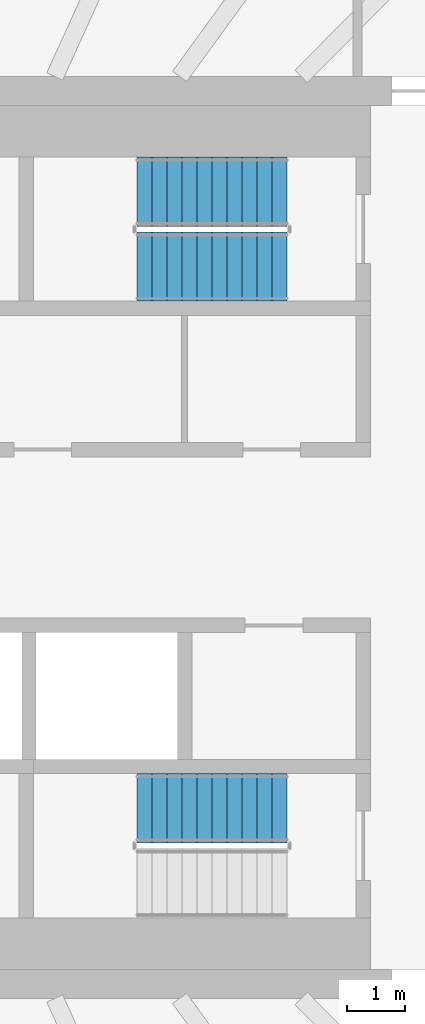
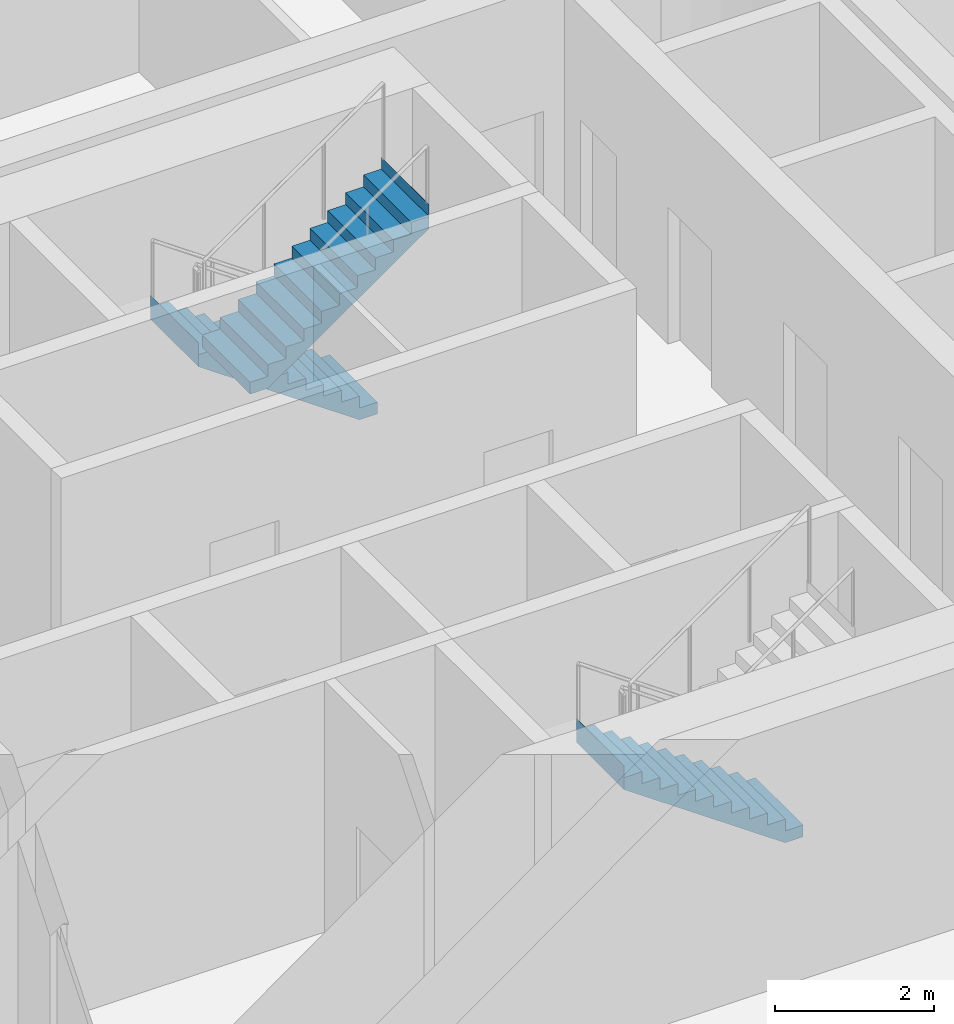
# One storey, part 19 of 25: 3 stair flights, 2 elements without a shape of their own.
"""IFC4 building model written with IfcOpenShell, lengths in metres."""

from ifc_helpers import new_model, si_unit, direction, frame, origin, place, context, subcontext, project, spatial, triangles, material, type_object, element, aggregate, save


model = new_model("IFC4")

# Units and contexts
model_context = context("Model", 3, precision=1e-05, world=origin(), true_north=direction((0.0, 1.0)))
body_context = subcontext(model_context, "Body", "Model", "MODEL_VIEW")
ifc_project = project(units=[si_unit("LENGTHUNIT", "METRE"), si_unit("AREAUNIT", "SQUARE_METRE"), si_unit("VOLUMEUNIT", "CUBIC_METRE"), si_unit("PLANEANGLEUNIT", "RADIAN"), si_unit("MASSUNIT", "GRAM", prefix="KILO")], contexts=[model_context])

# Site, building, storey
site_placement = place(None, origin())
site = spatial("IfcSite", under=ifc_project, at=site_placement, CompositionType="ELEMENT")
building_placement = place(site_placement, origin())
building = spatial("IfcBuilding", under=site, at=building_placement, Name="Sahrelin Media Tower", CompositionType="ELEMENT")
storey_placement = place(building_placement, frame((0.0, 0.0, 165.60009765625)))
storey = spatial("IfcBuildingStorey", under=building, at=storey_placement, Name="L34", CompositionType="ELEMENT", Elevation=165.60009765625)

# Stair, stair flights
ifc_material = material(Name="Concrete C40/50", Category="concrete")
stair_type = type_object("IfcStairType", Name="Exit stair 1200", PredefinedType="HALF_TURN_STAIR", material=ifc_material)
placement = place(storey_placement, origin())
stair_1 = element("IfcStair", 1, at=placement, inside=storey, type_object=stair_type, Name="L34 Exit stair ST3", PredefinedType="HALF_TURN_STAIR")
stair_flight_type = type_object("IfcStairFlightType", Name="Stair flight 1200", PredefinedType="STRAIGHT", material=ifc_material)
stair_flight_1_placement = place(storey_placement, frame((7.675048828125, 6.0, 0.0), z_axis=(0.0, 0.0, 1.0), x_axis=(-1.0, 0.0, 0.0)))
stair_flight_1 = element("IfcStairFlight", 2, at=stair_flight_1_placement, type_object=stair_flight_type, Name="ST3 flight 1", NumberOfRisers=11, NumberOfTreads=10, PredefinedType="STRAIGHT", RiserHeight=0.181818182, TreadLength=0.26, context=body_context, shape_type="Tessellation", body=[
    triangles([(0.261474609375, 0.60009765625, 0.0), (0.261474609375, 0.300048828125, 0.0), (0.261474609375, 0.0, 0.0), (0.261474609375, -0.300048828125, 0.0), (0.261474609375, -0.60009765625, 0.0), (2.60009765625, 0.60009765625, 1.63525390625), (2.60009765625, 0.300048828125, 1.63525390625), (2.60009765625, 0.0, 1.63525390625), (2.60009765625, -0.300048828125, 1.63525390625), (2.60009765625, -0.60009765625, 1.63525390625), (2.60009765625, 0.60009765625, 2.0), (2.60009765625, 0.300048828125, 2.0), (2.60009765625, 0.0, 2.0), (2.60009765625, -0.300048828125, 2.0), (2.60009765625, -0.60009765625, 2.0), (2.597900390625, 0.60009765625, 2.0), (2.597900390625, 0.300048828125, 2.0), (2.597900390625, 0.0, 2.0), (2.597900390625, -0.300048828125, 2.0), (2.597900390625, -0.60009765625, 2.0), (2.597900390625, 0.60009765625, 1.818115234375), (2.597900390625, 0.300048828125, 1.818115234375), (2.597900390625, 0.0, 1.818115234375), (2.597900390625, -0.300048828125, 1.818115234375), (2.597900390625, -0.60009765625, 1.818115234375), (2.340087890625, 0.60009765625, 1.818115234375), (2.340087890625, 0.300048828125, 1.818115234375), (2.340087890625, 0.0, 1.818115234375), (2.340087890625, -0.300048828125, 1.818115234375), (2.340087890625, -0.60009765625, 1.818115234375), (2.340087890625, 0.60009765625, 1.636474609375), (2.340087890625, 0.300048828125, 1.636474609375), (2.340087890625, 0.0, 1.636474609375), (2.340087890625, -0.300048828125, 1.636474609375), (2.340087890625, -0.60009765625, 1.636474609375), (2.080078125, 0.60009765625, 1.636474609375), (2.080078125, 0.300048828125, 1.636474609375), (2.080078125, 0.0, 1.636474609375), (2.080078125, -0.300048828125, 1.636474609375), (2.080078125, -0.60009765625, 1.636474609375), (2.080078125, 0.60009765625, 1.45458984375), (2.080078125, 0.300048828125, 1.45458984375), (2.080078125, 0.0, 1.45458984375), (2.080078125, -0.300048828125, 1.45458984375), (2.080078125, -0.60009765625, 1.45458984375), (1.820068359375, 0.60009765625, 1.45458984375), (1.820068359375, 0.300048828125, 1.45458984375), (1.820068359375, 0.0, 1.45458984375), (1.820068359375, -0.300048828125, 1.45458984375), (1.820068359375, -0.60009765625, 1.45458984375), (1.820068359375, 0.60009765625, 1.272705078125), (1.820068359375, 0.300048828125, 1.272705078125), (1.820068359375, 0.0, 1.272705078125), (1.820068359375, -0.300048828125, 1.272705078125), (1.820068359375, -0.60009765625, 1.272705078125), (1.56005859375, 0.60009765625, 1.272705078125), (1.56005859375, 0.300048828125, 1.272705078125), (1.56005859375, 0.0, 1.272705078125), (1.56005859375, -0.300048828125, 1.272705078125), (1.56005859375, -0.60009765625, 1.272705078125), (1.56005859375, 0.60009765625, 1.0908203125), (1.56005859375, 0.300048828125, 1.0908203125), (1.56005859375, 0.0, 1.0908203125), (1.56005859375, -0.300048828125, 1.0908203125), (1.56005859375, -0.60009765625, 1.0908203125), (1.300048828125, 0.60009765625, 1.0908203125), (1.300048828125, 0.300048828125, 1.0908203125), (1.300048828125, 0.0, 1.0908203125), (1.300048828125, -0.300048828125, 1.0908203125), (1.300048828125, -0.60009765625, 1.0908203125), (1.300048828125, 0.60009765625, 0.9091796875), (1.300048828125, 0.300048828125, 0.9091796875), (1.300048828125, 0.0, 0.9091796875), (1.300048828125, -0.300048828125, 0.9091796875), (1.300048828125, -0.60009765625, 0.9091796875), (1.0400390625, 0.60009765625, 0.9091796875), (1.0400390625, 0.300048828125, 0.9091796875), (1.0400390625, 0.0, 0.9091796875), (1.0400390625, -0.300048828125, 0.9091796875), (1.0400390625, -0.60009765625, 0.9091796875), (1.0400390625, 0.60009765625, 0.727294921875), (1.0400390625, 0.300048828125, 0.727294921875), (1.0400390625, 0.0, 0.727294921875), (1.0400390625, -0.300048828125, 0.727294921875), (1.0400390625, -0.60009765625, 0.727294921875), (0.780029296875, 0.60009765625, 0.727294921875), (0.780029296875, 0.300048828125, 0.727294921875), (0.780029296875, 0.0, 0.727294921875), (0.780029296875, -0.300048828125, 0.727294921875), (0.780029296875, -0.60009765625, 0.727294921875), (0.780029296875, 0.60009765625, 0.54541015625), (0.780029296875, 0.300048828125, 0.54541015625), (0.780029296875, 0.0, 0.54541015625), (0.780029296875, -0.300048828125, 0.54541015625), (0.780029296875, -0.60009765625, 0.54541015625), (0.52001953125, 0.60009765625, 0.54541015625), (0.52001953125, 0.300048828125, 0.54541015625), (0.52001953125, 0.0, 0.54541015625), (0.52001953125, -0.300048828125, 0.54541015625), (0.52001953125, -0.60009765625, 0.54541015625), (0.52001953125, 0.60009765625, 0.363525390625), (0.52001953125, 0.300048828125, 0.363525390625), (0.52001953125, 0.0, 0.363525390625), (0.52001953125, -0.300048828125, 0.363525390625), (0.52001953125, -0.60009765625, 0.363525390625), (0.260009765625, 0.60009765625, 0.363525390625), (0.260009765625, 0.300048828125, 0.363525390625), (0.260009765625, 0.0, 0.363525390625), (0.260009765625, -0.300048828125, 0.363525390625), (0.260009765625, -0.60009765625, 0.363525390625), (0.260009765625, 0.60009765625, 0.181884765625), (0.260009765625, 0.300048828125, 0.181884765625), (0.260009765625, 0.0, 0.181884765625), (0.260009765625, -0.300048828125, 0.181884765625), (0.260009765625, -0.60009765625, 0.181884765625), (0.0, 0.60009765625, 0.181884765625), (0.0, 0.300048828125, 0.181884765625), (0.0, 0.0, 0.181884765625), (0.0, -0.300048828125, 0.181884765625), (0.0, -0.60009765625, 0.181884765625), (0.0, 0.60009765625, 0.0), (0.0, 0.300048828125, 0.0), (0.0, 0.0, 0.0), (0.0, -0.300048828125, 0.0), (0.0, -0.60009765625, 0.0)], [[1, 6, 7], [1, 7, 2], [2, 7, 8], [2, 8, 3], [3, 8, 9], [3, 9, 4], [4, 9, 10], [4, 10, 5], [6, 11, 12], [6, 12, 7], [7, 12, 13], [7, 13, 8], [8, 13, 14], [8, 14, 9], [9, 14, 15], [9, 15, 10], [11, 16, 17], [11, 17, 12], [12, 17, 18], [12, 18, 13], [13, 18, 19], [13, 19, 14], [14, 19, 20], [14, 20, 15], [16, 21, 22], [16, 22, 17], [17, 22, 23], [17, 23, 18], [18, 23, 24], [18, 24, 19], [19, 24, 25], [19, 25, 20], [21, 26, 27], [21, 27, 22], [22, 27, 28], [22, 28, 23], [23, 28, 29], [23, 29, 24], [24, 29, 30], [24, 30, 25], [26, 31, 32], [26, 32, 27], [27, 32, 33], [27, 33, 28], [28, 33, 34], [28, 34, 29], [29, 34, 35], [29, 35, 30], [31, 36, 37], [31, 37, 32], [32, 37, 38], [32, 38, 33], [33, 38, 39], [33, 39, 34], [34, 39, 40], [34, 40, 35], [36, 41, 42], [36, 42, 37], [37, 42, 43], [37, 43, 38], [38, 43, 44], [38, 44, 39], [39, 44, 45], [39, 45, 40], [41, 46, 47], [41, 47, 42], [42, 47, 48], [42, 48, 43], [43, 48, 49], [43, 49, 44], [44, 49, 50], [44, 50, 45], [46, 51, 52], [46, 52, 47], [47, 52, 53], [47, 53, 48], [48, 53, 54], [48, 54, 49], [49, 54, 55], [49, 55, 50], [51, 56, 57], [51, 57, 52], [52, 57, 58], [52, 58, 53], [53, 58, 59], [53, 59, 54], [54, 59, 60], [54, 60, 55], [56, 61, 62], [56, 62, 57], [57, 62, 63], [57, 63, 58], [58, 63, 64], [58, 64, 59], [59, 64, 65], [59, 65, 60], [61, 66, 67], [61, 67, 62], [62, 67, 68], [62, 68, 63], [63, 68, 69], [63, 69, 64], [64, 69, 70], [64, 70, 65], [66, 71, 72], [66, 72, 67], [67, 72, 73], [67, 73, 68], [68, 73, 74], [68, 74, 69], [69, 74, 75], [69, 75, 70], [71, 76, 77], [71, 77, 72], [72, 77, 78], [72, 78, 73], [73, 78, 79], [73, 79, 74], [74, 79, 80], [74, 80, 75], [76, 81, 82], [76, 82, 77], [77, 82, 83], [77, 83, 78], [78, 83, 84], [78, 84, 79], [79, 84, 85], [79, 85, 80], [81, 86, 87], [81, 87, 82], [82, 87, 88], [82, 88, 83], [83, 88, 89], [83, 89, 84], [84, 89, 90], [84, 90, 85], [86, 91, 92], [86, 92, 87], [87, 92, 93], [87, 93, 88], [88, 93, 94], [88, 94, 89], [89, 94, 95], [89, 95, 90], [91, 96, 97], [91, 97, 92], [92, 97, 98], [92, 98, 93], [93, 98, 99], [93, 99, 94], [94, 99, 100], [94, 100, 95], [96, 101, 102], [96, 102, 97], [97, 102, 103], [97, 103, 98], [98, 103, 104], [98, 104, 99], [99, 104, 105], [99, 105, 100], [101, 106, 107], [101, 107, 102], [102, 107, 108], [102, 108, 103], [103, 108, 109], [103, 109, 104], [104, 109, 110], [104, 110, 105], [106, 111, 112], [106, 112, 107], [107, 112, 113], [107, 113, 108], [108, 113, 114], [108, 114, 109], [109, 114, 115], [109, 115, 110], [111, 116, 117], [111, 117, 112], [112, 117, 118], [112, 118, 113], [113, 118, 119], [113, 119, 114], [114, 119, 120], [114, 120, 115], [116, 121, 122], [116, 122, 117], [117, 122, 123], [117, 123, 118], [118, 123, 124], [118, 124, 119], [119, 124, 125], [119, 125, 120], [121, 1, 2], [121, 2, 122], [122, 2, 3], [122, 3, 123], [123, 3, 4], [123, 4, 124], [124, 4, 5], [124, 5, 125], [115, 120, 125], [111, 121, 116], [115, 105, 110], [111, 106, 101], [105, 95, 100], [101, 96, 91], [95, 85, 90], [91, 86, 81], [85, 75, 80], [81, 76, 71], [75, 65, 70], [71, 66, 61], [65, 55, 60], [61, 56, 51], [55, 45, 50], [51, 46, 41], [45, 35, 40], [41, 36, 31], [35, 25, 30], [31, 26, 21], [25, 15, 20], [21, 16, 11], [125, 5, 115], [121, 111, 1], [25, 10, 15], [21, 11, 6], [105, 115, 5], [101, 1, 111], [35, 10, 25], [31, 21, 6], [95, 105, 5], [91, 1, 101], [45, 10, 35], [41, 31, 6], [85, 95, 5], [81, 1, 91], [55, 10, 45], [51, 41, 6], [75, 85, 5], [71, 1, 81], [65, 10, 55], [61, 51, 6], [5, 10, 75], [1, 71, 6], [75, 10, 65], [71, 61, 6]], closed=True),
])
stair_flight_2_placement = place(storey_placement, frame((5.074951171875, 4.699951171875, 2.0), z_axis=(0.0, 0.0, 1.0), x_axis=(1.0, 0.0, 0.0)))
stair_flight_2 = element("IfcStairFlight", 3, at=stair_flight_2_placement, type_object=stair_flight_type, Name="ST3 flight 2", NumberOfRisers=11, NumberOfTreads=10, PredefinedType="STRAIGHT", RiserHeight=0.181818182, TreadLength=0.26, context=body_context, shape_type="Tessellation", body=[
    triangles([(0.261474609375, 0.60009765625, 0.0), (0.261474609375, 0.300048828125, 0.0), (0.261474609375, 0.0, 0.0), (0.261474609375, -0.300048828125, 0.0), (0.261474609375, -0.60009765625, 0.0), (2.60009765625, 0.60009765625, 1.63525390625), (2.60009765625, 0.300048828125, 1.63525390625), (2.60009765625, 0.0, 1.63525390625), (2.60009765625, -0.300048828125, 1.63525390625), (2.60009765625, -0.60009765625, 1.63525390625), (2.60009765625, 0.60009765625, 2.0), (2.60009765625, 0.300048828125, 2.0), (2.60009765625, 0.0, 2.0), (2.60009765625, -0.300048828125, 2.0), (2.60009765625, -0.60009765625, 2.0), (2.597900390625, 0.60009765625, 2.0), (2.597900390625, 0.300048828125, 2.0), (2.597900390625, 0.0, 2.0), (2.597900390625, -0.300048828125, 2.0), (2.597900390625, -0.60009765625, 2.0), (2.597900390625, 0.60009765625, 1.818115234375), (2.597900390625, 0.300048828125, 1.818115234375), (2.597900390625, 0.0, 1.818115234375), (2.597900390625, -0.300048828125, 1.818115234375), (2.597900390625, -0.60009765625, 1.818115234375), (2.340087890625, 0.60009765625, 1.818115234375), (2.340087890625, 0.300048828125, 1.818115234375), (2.340087890625, 0.0, 1.818115234375), (2.340087890625, -0.300048828125, 1.818115234375), (2.340087890625, -0.60009765625, 1.818115234375), (2.340087890625, 0.60009765625, 1.636474609375), (2.340087890625, 0.300048828125, 1.636474609375), (2.340087890625, 0.0, 1.636474609375), (2.340087890625, -0.300048828125, 1.636474609375), (2.340087890625, -0.60009765625, 1.636474609375), (2.080078125, 0.60009765625, 1.636474609375), (2.080078125, 0.300048828125, 1.636474609375), (2.080078125, 0.0, 1.636474609375), (2.080078125, -0.300048828125, 1.636474609375), (2.080078125, -0.60009765625, 1.636474609375), (2.080078125, 0.60009765625, 1.45458984375), (2.080078125, 0.300048828125, 1.45458984375), (2.080078125, 0.0, 1.45458984375), (2.080078125, -0.300048828125, 1.45458984375), (2.080078125, -0.60009765625, 1.45458984375), (1.820068359375, 0.60009765625, 1.45458984375), (1.820068359375, 0.300048828125, 1.45458984375), (1.820068359375, 0.0, 1.45458984375), (1.820068359375, -0.300048828125, 1.45458984375), (1.820068359375, -0.60009765625, 1.45458984375), (1.820068359375, 0.60009765625, 1.272705078125), (1.820068359375, 0.300048828125, 1.272705078125), (1.820068359375, 0.0, 1.272705078125), (1.820068359375, -0.300048828125, 1.272705078125), (1.820068359375, -0.60009765625, 1.272705078125), (1.56005859375, 0.60009765625, 1.272705078125), (1.56005859375, 0.300048828125, 1.272705078125), (1.56005859375, 0.0, 1.272705078125), (1.56005859375, -0.300048828125, 1.272705078125), (1.56005859375, -0.60009765625, 1.272705078125), (1.56005859375, 0.60009765625, 1.0908203125), (1.56005859375, 0.300048828125, 1.0908203125), (1.56005859375, 0.0, 1.0908203125), (1.56005859375, -0.300048828125, 1.0908203125), (1.56005859375, -0.60009765625, 1.0908203125), (1.300048828125, 0.60009765625, 1.0908203125), (1.300048828125, 0.300048828125, 1.0908203125), (1.300048828125, 0.0, 1.0908203125), (1.300048828125, -0.300048828125, 1.0908203125), (1.300048828125, -0.60009765625, 1.0908203125), (1.300048828125, 0.60009765625, 0.9091796875), (1.300048828125, 0.300048828125, 0.9091796875), (1.300048828125, 0.0, 0.9091796875), (1.300048828125, -0.300048828125, 0.9091796875), (1.300048828125, -0.60009765625, 0.9091796875), (1.0400390625, 0.60009765625, 0.9091796875), (1.0400390625, 0.300048828125, 0.9091796875), (1.0400390625, 0.0, 0.9091796875), (1.0400390625, -0.300048828125, 0.9091796875), (1.0400390625, -0.60009765625, 0.9091796875), (1.0400390625, 0.60009765625, 0.727294921875), (1.0400390625, 0.300048828125, 0.727294921875), (1.0400390625, 0.0, 0.727294921875), (1.0400390625, -0.300048828125, 0.727294921875), (1.0400390625, -0.60009765625, 0.727294921875), (0.780029296875, 0.60009765625, 0.727294921875), (0.780029296875, 0.300048828125, 0.727294921875), (0.780029296875, 0.0, 0.727294921875), (0.780029296875, -0.300048828125, 0.727294921875), (0.780029296875, -0.60009765625, 0.727294921875), (0.780029296875, 0.60009765625, 0.54541015625), (0.780029296875, 0.300048828125, 0.54541015625), (0.780029296875, 0.0, 0.54541015625), (0.780029296875, -0.300048828125, 0.54541015625), (0.780029296875, -0.60009765625, 0.54541015625), (0.52001953125, 0.60009765625, 0.54541015625), (0.52001953125, 0.300048828125, 0.54541015625), (0.52001953125, 0.0, 0.54541015625), (0.52001953125, -0.300048828125, 0.54541015625), (0.52001953125, -0.60009765625, 0.54541015625), (0.52001953125, 0.60009765625, 0.363525390625), (0.52001953125, 0.300048828125, 0.363525390625), (0.52001953125, 0.0, 0.363525390625), (0.52001953125, -0.300048828125, 0.363525390625), (0.52001953125, -0.60009765625, 0.363525390625), (0.260009765625, 0.60009765625, 0.363525390625), (0.260009765625, 0.300048828125, 0.363525390625), (0.260009765625, 0.0, 0.363525390625), (0.260009765625, -0.300048828125, 0.363525390625), (0.260009765625, -0.60009765625, 0.363525390625), (0.260009765625, 0.60009765625, 0.181884765625), (0.260009765625, 0.300048828125, 0.181884765625), (0.260009765625, 0.0, 0.181884765625), (0.260009765625, -0.300048828125, 0.181884765625), (0.260009765625, -0.60009765625, 0.181884765625), (0.0, 0.60009765625, 0.181884765625), (0.0, 0.300048828125, 0.181884765625), (0.0, 0.0, 0.181884765625), (0.0, -0.300048828125, 0.181884765625), (0.0, -0.60009765625, 0.181884765625), (0.0, 0.60009765625, 0.0), (0.0, 0.300048828125, 0.0), (0.0, 0.0, 0.0), (0.0, -0.300048828125, 0.0), (0.0, -0.60009765625, 0.0)], [[1, 6, 7], [1, 7, 2], [2, 7, 8], [2, 8, 3], [3, 8, 9], [3, 9, 4], [4, 9, 10], [4, 10, 5], [6, 11, 12], [6, 12, 7], [7, 12, 13], [7, 13, 8], [8, 13, 14], [8, 14, 9], [9, 14, 15], [9, 15, 10], [11, 16, 17], [11, 17, 12], [12, 17, 18], [12, 18, 13], [13, 18, 19], [13, 19, 14], [14, 19, 20], [14, 20, 15], [16, 21, 22], [16, 22, 17], [17, 22, 23], [17, 23, 18], [18, 23, 24], [18, 24, 19], [19, 24, 25], [19, 25, 20], [21, 26, 27], [21, 27, 22], [22, 27, 28], [22, 28, 23], [23, 28, 29], [23, 29, 24], [24, 29, 30], [24, 30, 25], [26, 31, 32], [26, 32, 27], [27, 32, 33], [27, 33, 28], [28, 33, 34], [28, 34, 29], [29, 34, 35], [29, 35, 30], [31, 36, 37], [31, 37, 32], [32, 37, 38], [32, 38, 33], [33, 38, 39], [33, 39, 34], [34, 39, 40], [34, 40, 35], [36, 41, 42], [36, 42, 37], [37, 42, 43], [37, 43, 38], [38, 43, 44], [38, 44, 39], [39, 44, 45], [39, 45, 40], [41, 46, 47], [41, 47, 42], [42, 47, 48], [42, 48, 43], [43, 48, 49], [43, 49, 44], [44, 49, 50], [44, 50, 45], [46, 51, 52], [46, 52, 47], [47, 52, 53], [47, 53, 48], [48, 53, 54], [48, 54, 49], [49, 54, 55], [49, 55, 50], [51, 56, 57], [51, 57, 52], [52, 57, 58], [52, 58, 53], [53, 58, 59], [53, 59, 54], [54, 59, 60], [54, 60, 55], [56, 61, 62], [56, 62, 57], [57, 62, 63], [57, 63, 58], [58, 63, 64], [58, 64, 59], [59, 64, 65], [59, 65, 60], [61, 66, 67], [61, 67, 62], [62, 67, 68], [62, 68, 63], [63, 68, 69], [63, 69, 64], [64, 69, 70], [64, 70, 65], [66, 71, 72], [66, 72, 67], [67, 72, 73], [67, 73, 68], [68, 73, 74], [68, 74, 69], [69, 74, 75], [69, 75, 70], [71, 76, 77], [71, 77, 72], [72, 77, 78], [72, 78, 73], [73, 78, 79], [73, 79, 74], [74, 79, 80], [74, 80, 75], [76, 81, 82], [76, 82, 77], [77, 82, 83], [77, 83, 78], [78, 83, 84], [78, 84, 79], [79, 84, 85], [79, 85, 80], [81, 86, 87], [81, 87, 82], [82, 87, 88], [82, 88, 83], [83, 88, 89], [83, 89, 84], [84, 89, 90], [84, 90, 85], [86, 91, 92], [86, 92, 87], [87, 92, 93], [87, 93, 88], [88, 93, 94], [88, 94, 89], [89, 94, 95], [89, 95, 90], [91, 96, 97], [91, 97, 92], [92, 97, 98], [92, 98, 93], [93, 98, 99], [93, 99, 94], [94, 99, 100], [94, 100, 95], [96, 101, 102], [96, 102, 97], [97, 102, 103], [97, 103, 98], [98, 103, 104], [98, 104, 99], [99, 104, 105], [99, 105, 100], [101, 106, 107], [101, 107, 102], [102, 107, 108], [102, 108, 103], [103, 108, 109], [103, 109, 104], [104, 109, 110], [104, 110, 105], [106, 111, 112], [106, 112, 107], [107, 112, 113], [107, 113, 108], [108, 113, 114], [108, 114, 109], [109, 114, 115], [109, 115, 110], [111, 116, 117], [111, 117, 112], [112, 117, 118], [112, 118, 113], [113, 118, 119], [113, 119, 114], [114, 119, 120], [114, 120, 115], [116, 121, 122], [116, 122, 117], [117, 122, 123], [117, 123, 118], [118, 123, 124], [118, 124, 119], [119, 124, 125], [119, 125, 120], [121, 1, 2], [121, 2, 122], [122, 2, 3], [122, 3, 123], [123, 3, 4], [123, 4, 124], [124, 4, 5], [124, 5, 125], [115, 120, 125], [111, 121, 116], [115, 105, 110], [111, 106, 101], [105, 95, 100], [101, 96, 91], [95, 85, 90], [91, 86, 81], [85, 75, 80], [81, 76, 71], [75, 65, 70], [71, 66, 61], [65, 55, 60], [61, 56, 51], [55, 45, 50], [51, 46, 41], [45, 35, 40], [41, 36, 31], [35, 25, 30], [31, 26, 21], [25, 15, 20], [21, 16, 11], [125, 5, 115], [121, 111, 1], [25, 10, 15], [21, 11, 6], [105, 115, 5], [101, 1, 111], [35, 10, 25], [31, 21, 6], [95, 105, 5], [91, 1, 101], [45, 10, 35], [41, 31, 6], [85, 95, 5], [81, 1, 91], [55, 10, 45], [51, 41, 6], [75, 85, 5], [71, 1, 81], [65, 10, 55], [61, 51, 6], [5, 10, 75], [1, 71, 6], [75, 10, 65], [71, 61, 6]], closed=True),
])
aggregate(stair_1, [stair_flight_1, stair_flight_2])

# Stair, stair flight
stair_2 = element("IfcStair", 4, at=placement, inside=storey, type_object=stair_type, Name="L34 Exit stair ST2", PredefinedType="HALF_TURN_STAIR")
stair_flight_3_placement = place(storey_placement, frame((7.675048828125, -4.699951171875, 0.0), z_axis=(0.0, 0.0, 1.0), x_axis=(-1.0, 0.0, 0.0)))
stair_flight_3 = element("IfcStairFlight", 5, at=stair_flight_3_placement, type_object=stair_flight_type, Name="ST2 flight 1", NumberOfRisers=11, NumberOfTreads=10, PredefinedType="STRAIGHT", RiserHeight=0.181818182, TreadLength=0.26, context=body_context, shape_type="Tessellation", body=[
    triangles([(0.261474609375, 0.60009765625, 0.0), (0.261474609375, 0.300048828125, 0.0), (0.261474609375, 0.0, 0.0), (0.261474609375, -0.300048828125, 0.0), (0.261474609375, -0.60009765625, 0.0), (2.60009765625, 0.60009765625, 1.63525390625), (2.60009765625, 0.300048828125, 1.63525390625), (2.60009765625, 0.0, 1.63525390625), (2.60009765625, -0.300048828125, 1.63525390625), (2.60009765625, -0.60009765625, 1.63525390625), (2.60009765625, 0.60009765625, 2.0), (2.60009765625, 0.300048828125, 2.0), (2.60009765625, 0.0, 2.0), (2.60009765625, -0.300048828125, 2.0), (2.60009765625, -0.60009765625, 2.0), (2.597900390625, 0.60009765625, 2.0), (2.597900390625, 0.300048828125, 2.0), (2.597900390625, 0.0, 2.0), (2.597900390625, -0.300048828125, 2.0), (2.597900390625, -0.60009765625, 2.0), (2.597900390625, 0.60009765625, 1.818115234375), (2.597900390625, 0.300048828125, 1.818115234375), (2.597900390625, 0.0, 1.818115234375), (2.597900390625, -0.300048828125, 1.818115234375), (2.597900390625, -0.60009765625, 1.818115234375), (2.340087890625, 0.60009765625, 1.818115234375), (2.340087890625, 0.300048828125, 1.818115234375), (2.340087890625, 0.0, 1.818115234375), (2.340087890625, -0.300048828125, 1.818115234375), (2.340087890625, -0.60009765625, 1.818115234375), (2.340087890625, 0.60009765625, 1.636474609375), (2.340087890625, 0.300048828125, 1.636474609375), (2.340087890625, 0.0, 1.636474609375), (2.340087890625, -0.300048828125, 1.636474609375), (2.340087890625, -0.60009765625, 1.636474609375), (2.080078125, 0.60009765625, 1.636474609375), (2.080078125, 0.300048828125, 1.636474609375), (2.080078125, 0.0, 1.636474609375), (2.080078125, -0.300048828125, 1.636474609375), (2.080078125, -0.60009765625, 1.636474609375), (2.080078125, 0.60009765625, 1.45458984375), (2.080078125, 0.300048828125, 1.45458984375), (2.080078125, 0.0, 1.45458984375), (2.080078125, -0.300048828125, 1.45458984375), (2.080078125, -0.60009765625, 1.45458984375), (1.820068359375, 0.60009765625, 1.45458984375), (1.820068359375, 0.300048828125, 1.45458984375), (1.820068359375, 0.0, 1.45458984375), (1.820068359375, -0.300048828125, 1.45458984375), (1.820068359375, -0.60009765625, 1.45458984375), (1.820068359375, 0.60009765625, 1.272705078125), (1.820068359375, 0.300048828125, 1.272705078125), (1.820068359375, 0.0, 1.272705078125), (1.820068359375, -0.300048828125, 1.272705078125), (1.820068359375, -0.60009765625, 1.272705078125), (1.56005859375, 0.60009765625, 1.272705078125), (1.56005859375, 0.300048828125, 1.272705078125), (1.56005859375, 0.0, 1.272705078125), (1.56005859375, -0.300048828125, 1.272705078125), (1.56005859375, -0.60009765625, 1.272705078125), (1.56005859375, 0.60009765625, 1.0908203125), (1.56005859375, 0.300048828125, 1.0908203125), (1.56005859375, 0.0, 1.0908203125), (1.56005859375, -0.300048828125, 1.0908203125), (1.56005859375, -0.60009765625, 1.0908203125), (1.300048828125, 0.60009765625, 1.0908203125), (1.300048828125, 0.300048828125, 1.0908203125), (1.300048828125, 0.0, 1.0908203125), (1.300048828125, -0.300048828125, 1.0908203125), (1.300048828125, -0.60009765625, 1.0908203125), (1.300048828125, 0.60009765625, 0.9091796875), (1.300048828125, 0.300048828125, 0.9091796875), (1.300048828125, 0.0, 0.9091796875), (1.300048828125, -0.300048828125, 0.9091796875), (1.300048828125, -0.60009765625, 0.9091796875), (1.0400390625, 0.60009765625, 0.9091796875), (1.0400390625, 0.300048828125, 0.9091796875), (1.0400390625, 0.0, 0.9091796875), (1.0400390625, -0.300048828125, 0.9091796875), (1.0400390625, -0.60009765625, 0.9091796875), (1.0400390625, 0.60009765625, 0.727294921875), (1.0400390625, 0.300048828125, 0.727294921875), (1.0400390625, 0.0, 0.727294921875), (1.0400390625, -0.300048828125, 0.727294921875), (1.0400390625, -0.60009765625, 0.727294921875), (0.780029296875, 0.60009765625, 0.727294921875), (0.780029296875, 0.300048828125, 0.727294921875), (0.780029296875, 0.0, 0.727294921875), (0.780029296875, -0.300048828125, 0.727294921875), (0.780029296875, -0.60009765625, 0.727294921875), (0.780029296875, 0.60009765625, 0.54541015625), (0.780029296875, 0.300048828125, 0.54541015625), (0.780029296875, 0.0, 0.54541015625), (0.780029296875, -0.300048828125, 0.54541015625), (0.780029296875, -0.60009765625, 0.54541015625), (0.52001953125, 0.60009765625, 0.54541015625), (0.52001953125, 0.300048828125, 0.54541015625), (0.52001953125, 0.0, 0.54541015625), (0.52001953125, -0.300048828125, 0.54541015625), (0.52001953125, -0.60009765625, 0.54541015625), (0.52001953125, 0.60009765625, 0.363525390625), (0.52001953125, 0.300048828125, 0.363525390625), (0.52001953125, 0.0, 0.363525390625), (0.52001953125, -0.300048828125, 0.363525390625), (0.52001953125, -0.60009765625, 0.363525390625), (0.260009765625, 0.60009765625, 0.363525390625), (0.260009765625, 0.300048828125, 0.363525390625), (0.260009765625, 0.0, 0.363525390625), (0.260009765625, -0.300048828125, 0.363525390625), (0.260009765625, -0.60009765625, 0.363525390625), (0.260009765625, 0.60009765625, 0.181884765625), (0.260009765625, 0.300048828125, 0.181884765625), (0.260009765625, 0.0, 0.181884765625), (0.260009765625, -0.300048828125, 0.181884765625), (0.260009765625, -0.60009765625, 0.181884765625), (0.0, 0.60009765625, 0.181884765625), (0.0, 0.300048828125, 0.181884765625), (0.0, 0.0, 0.181884765625), (0.0, -0.300048828125, 0.181884765625), (0.0, -0.60009765625, 0.181884765625), (0.0, 0.60009765625, 0.0), (0.0, 0.300048828125, 0.0), (0.0, 0.0, 0.0), (0.0, -0.300048828125, 0.0), (0.0, -0.60009765625, 0.0)], [[1, 6, 7], [1, 7, 2], [2, 7, 8], [2, 8, 3], [3, 8, 9], [3, 9, 4], [4, 9, 10], [4, 10, 5], [6, 11, 12], [6, 12, 7], [7, 12, 13], [7, 13, 8], [8, 13, 14], [8, 14, 9], [9, 14, 15], [9, 15, 10], [11, 16, 17], [11, 17, 12], [12, 17, 18], [12, 18, 13], [13, 18, 19], [13, 19, 14], [14, 19, 20], [14, 20, 15], [16, 21, 22], [16, 22, 17], [17, 22, 23], [17, 23, 18], [18, 23, 24], [18, 24, 19], [19, 24, 25], [19, 25, 20], [21, 26, 27], [21, 27, 22], [22, 27, 28], [22, 28, 23], [23, 28, 29], [23, 29, 24], [24, 29, 30], [24, 30, 25], [26, 31, 32], [26, 32, 27], [27, 32, 33], [27, 33, 28], [28, 33, 34], [28, 34, 29], [29, 34, 35], [29, 35, 30], [31, 36, 37], [31, 37, 32], [32, 37, 38], [32, 38, 33], [33, 38, 39], [33, 39, 34], [34, 39, 40], [34, 40, 35], [36, 41, 42], [36, 42, 37], [37, 42, 43], [37, 43, 38], [38, 43, 44], [38, 44, 39], [39, 44, 45], [39, 45, 40], [41, 46, 47], [41, 47, 42], [42, 47, 48], [42, 48, 43], [43, 48, 49], [43, 49, 44], [44, 49, 50], [44, 50, 45], [46, 51, 52], [46, 52, 47], [47, 52, 53], [47, 53, 48], [48, 53, 54], [48, 54, 49], [49, 54, 55], [49, 55, 50], [51, 56, 57], [51, 57, 52], [52, 57, 58], [52, 58, 53], [53, 58, 59], [53, 59, 54], [54, 59, 60], [54, 60, 55], [56, 61, 62], [56, 62, 57], [57, 62, 63], [57, 63, 58], [58, 63, 64], [58, 64, 59], [59, 64, 65], [59, 65, 60], [61, 66, 67], [61, 67, 62], [62, 67, 68], [62, 68, 63], [63, 68, 69], [63, 69, 64], [64, 69, 70], [64, 70, 65], [66, 71, 72], [66, 72, 67], [67, 72, 73], [67, 73, 68], [68, 73, 74], [68, 74, 69], [69, 74, 75], [69, 75, 70], [71, 76, 77], [71, 77, 72], [72, 77, 78], [72, 78, 73], [73, 78, 79], [73, 79, 74], [74, 79, 80], [74, 80, 75], [76, 81, 82], [76, 82, 77], [77, 82, 83], [77, 83, 78], [78, 83, 84], [78, 84, 79], [79, 84, 85], [79, 85, 80], [81, 86, 87], [81, 87, 82], [82, 87, 88], [82, 88, 83], [83, 88, 89], [83, 89, 84], [84, 89, 90], [84, 90, 85], [86, 91, 92], [86, 92, 87], [87, 92, 93], [87, 93, 88], [88, 93, 94], [88, 94, 89], [89, 94, 95], [89, 95, 90], [91, 96, 97], [91, 97, 92], [92, 97, 98], [92, 98, 93], [93, 98, 99], [93, 99, 94], [94, 99, 100], [94, 100, 95], [96, 101, 102], [96, 102, 97], [97, 102, 103], [97, 103, 98], [98, 103, 104], [98, 104, 99], [99, 104, 105], [99, 105, 100], [101, 106, 107], [101, 107, 102], [102, 107, 108], [102, 108, 103], [103, 108, 109], [103, 109, 104], [104, 109, 110], [104, 110, 105], [106, 111, 112], [106, 112, 107], [107, 112, 113], [107, 113, 108], [108, 113, 114], [108, 114, 109], [109, 114, 115], [109, 115, 110], [111, 116, 117], [111, 117, 112], [112, 117, 118], [112, 118, 113], [113, 118, 119], [113, 119, 114], [114, 119, 120], [114, 120, 115], [116, 121, 122], [116, 122, 117], [117, 122, 123], [117, 123, 118], [118, 123, 124], [118, 124, 119], [119, 124, 125], [119, 125, 120], [121, 1, 2], [121, 2, 122], [122, 2, 3], [122, 3, 123], [123, 3, 4], [123, 4, 124], [124, 4, 5], [124, 5, 125], [115, 120, 125], [111, 121, 116], [115, 105, 110], [111, 106, 101], [105, 95, 100], [101, 96, 91], [95, 85, 90], [91, 86, 81], [85, 75, 80], [81, 76, 71], [75, 65, 70], [71, 66, 61], [65, 55, 60], [61, 56, 51], [55, 45, 50], [51, 46, 41], [45, 35, 40], [41, 36, 31], [35, 25, 30], [31, 26, 21], [25, 15, 20], [21, 16, 11], [125, 5, 115], [121, 111, 1], [25, 10, 15], [21, 11, 6], [105, 115, 5], [101, 1, 111], [35, 10, 25], [31, 21, 6], [95, 105, 5], [91, 1, 101], [45, 10, 35], [41, 31, 6], [85, 95, 5], [81, 1, 91], [55, 10, 45], [51, 41, 6], [75, 85, 5], [71, 1, 81], [65, 10, 55], [61, 51, 6], [5, 10, 75], [1, 71, 6], [75, 10, 65], [71, 61, 6]], closed=True),
])
aggregate(stair_2, [stair_flight_3])

save(model, "model.ifc")
